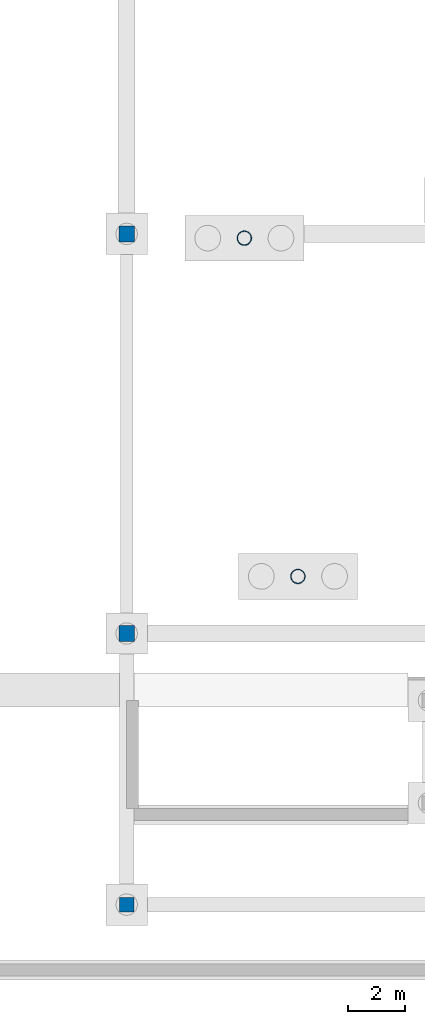
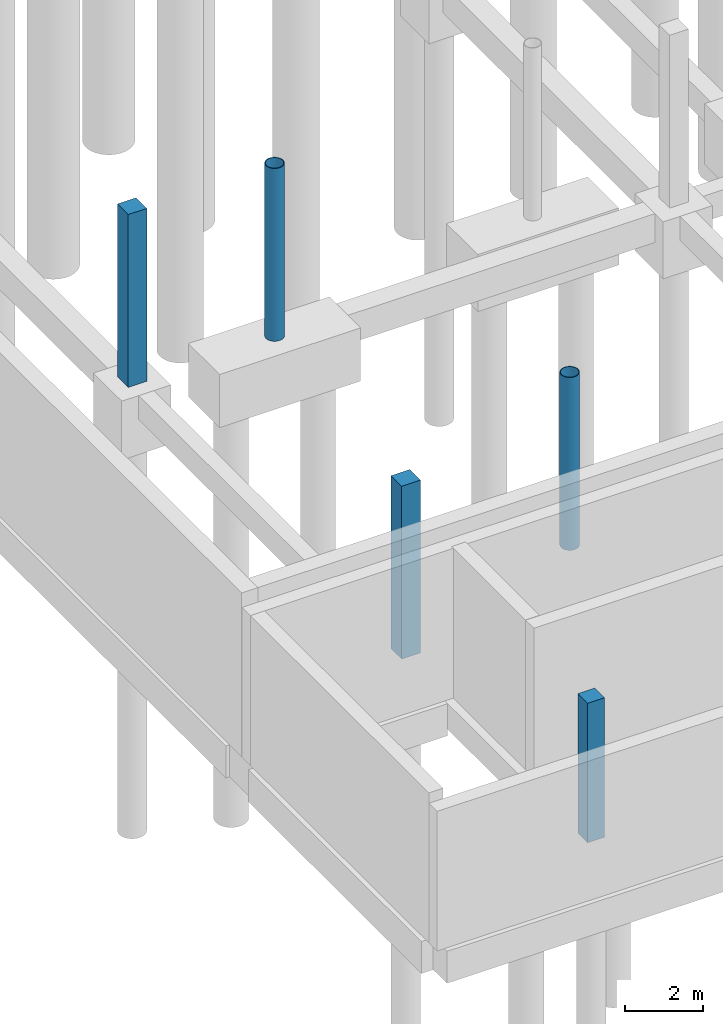
# One storey, part 18 of 65: 5 columns.
"""IFC4 building model written with IfcOpenShell, lengths in metres."""

import ifcopenshell
import ifcopenshell.guid

model = None  # the IFC model being written
_history = None  # IfcOwnerHistory: only IFC2X3 demands one
_inside = {}  # id of a spatial element -> (the spatial element, [elements in it])
_under = {}  # id of a project, library or spatial element -> (it, [spatial elements below it])
_declared = {}  # id of a project -> (the project, [libraries it declares])
_typed = {}  # id of a type object -> (the type object, [elements of that type])
_made_of = {}  # id of a material, layer set ... -> (it, [elements and type objects made of it])


def new_model(schema):
    """Start an empty IFC model of exactly this schema.

    Asked for "IFC4X3", IfcOpenShell would pick the latest addendum, in which some entities
    have other attributes; the version numbers below select the first issue.
    IFC2X3 requires an IfcOwnerHistory on every rooted entity: one is made here for all.
    """
    global model, _history
    if schema == "IFC4X3":
        model = ifcopenshell.file(schema_version=(4, 3, 0, 0))
    else:
        model = ifcopenshell.file(schema=schema)
    _inside.clear()
    _under.clear()
    _declared.clear()
    _typed.clear()
    _made_of.clear()
    _history = None
    if model.schema == "IFC2X3":
        org = make("IfcOrganization", Name="unknown")
        user = make(
            "IfcPersonAndOrganization",
            ThePerson=make("IfcPerson", FamilyName="unknown"),
            TheOrganization=org,
        )
        app = make(
            "IfcApplication",
            ApplicationDeveloper=org,
            Version="unknown",
            ApplicationFullName="unknown",
            ApplicationIdentifier="unknown",
        )
        _history = make(
            "IfcOwnerHistory",
            OwningUser=user,
            OwningApplication=app,
            ChangeAction="ADDED",
            CreationDate=0,
        )
    return model


def make(cls, **values):
    """One entity of the class cls with the attributes given. An attribute that is None is left unset."""
    return model.create_entity(
        cls, **{name: value for name, value in values.items() if value is not None}
    )


def rooted(cls, **values):
    """An entity with a GlobalId (a new one), such as an element, a storey or a relation."""
    return make(cls, GlobalId=ifcopenshell.guid.new(), OwnerHistory=_history, **values)


def si_unit(unit_type, name, prefix=None):
    """IfcSIUnit, for example si_unit("LENGTHUNIT", "METRE", prefix="MILLI")."""
    return make("IfcSIUnit", UnitType=unit_type, Prefix=prefix, Name=name)


def assignment(units):
    """IfcUnitAssignment: the units of a project."""
    return None if units is None else make("IfcUnitAssignment", Units=units)


def point(xyz):
    """IfcCartesianPoint."""
    return None if xyz is None else make("IfcCartesianPoint", Coordinates=xyz)


def direction(xyz):
    """IfcDirection."""
    return None if xyz is None else make("IfcDirection", DirectionRatios=xyz)


def frame(location, z_axis=None, x_axis=None):
    """IfcAxis2Placement3D, a coordinate frame: its origin and axes. An axis left out is left unset."""
    return make(
        "IfcAxis2Placement3D",
        Location=point(location),
        Axis=direction(z_axis),
        RefDirection=direction(x_axis),
    )


def frame_2d(location, x_axis=None):
    """IfcAxis2Placement2D, a coordinate frame in the plane: its origin and x axis."""
    return make(
        "IfcAxis2Placement2D", Location=point(location), RefDirection=direction(x_axis)
    )


def origin():
    """The frame at (0, 0, 0) with its axes left unset."""
    return frame((0.0, 0.0, 0.0))


def origin_2d():
    """The frame at (0, 0) in the plane with its x axis left unset."""
    return frame_2d((0.0, 0.0))


def place(relative_to, where):
    """IfcLocalPlacement: puts the frame where relative to a parent placement (None: the world)."""
    return make(
        "IfcLocalPlacement", PlacementRelTo=relative_to, RelativePlacement=where
    )


def context(
    kind, dimensions, precision=None, world=None, true_north=None, identifier=None
):
    """IfcGeometricRepresentationContext, for example the 3D "Model" context."""
    return make(
        "IfcGeometricRepresentationContext",
        ContextIdentifier=identifier,
        ContextType=kind,
        CoordinateSpaceDimension=dimensions,
        Precision=precision,
        WorldCoordinateSystem=world,
        TrueNorth=true_north,
    )


def subcontext(parent, identifier, kind, view, scale=None):
    """IfcGeometricRepresentationSubContext, for example "Body" below "Model"."""
    return make(
        "IfcGeometricRepresentationSubContext",
        ContextIdentifier=identifier,
        ContextType=kind,
        ParentContext=parent,
        TargetScale=scale,
        TargetView=view,
    )


def project(units=None, contexts=None):
    """IfcProject with its units and contexts."""
    return rooted(
        "IfcProject",
        Name="project",
        RepresentationContexts=contexts,
        UnitsInContext=assignment(units),
    )


def spatial(cls, under=None, at=None, **own):
    """A site, building, storey or space (cls), placed at a placement, below another one or the project."""
    s = rooted(cls, ObjectPlacement=at, **own)
    if under is not None:
        _under.setdefault(under.id(), (under, []))[1].append(s)
    return s


def profile(cls, at=None, kind="AREA", **sizes):
    """A parametric profile (cls). Its sizes go by their IFC names, for example OverallWidth=200.0."""
    return make(cls, ProfileType=kind, Position=at, **sizes)


def rectangle(**sizes):
    """IfcRectangleProfileDef."""
    return profile("IfcRectangleProfileDef", **sizes)


def hollow_circle(**sizes):
    """IfcCircleHollowProfileDef."""
    return profile("IfcCircleHollowProfileDef", **sizes)


def extrude(swept, where, along, depth):
    """IfcExtrudedAreaSolid: the profile swept, set in the frame where, extruded along a direction by depth."""
    return make(
        "IfcExtrudedAreaSolid",
        SweptArea=swept,
        Position=where,
        ExtrudedDirection=direction(along),
        Depth=depth,
    )


def shape(context_of_items, identifier, shape_type, items):
    """IfcShapeRepresentation: the items that make up one representation, for example the "Body"."""
    return make(
        "IfcShapeRepresentation",
        ContextOfItems=context_of_items,
        RepresentationIdentifier=identifier,
        RepresentationType=shape_type,
        Items=items,
    )


def material(Name=None, Category=None):
    """IfcMaterial."""
    return make("IfcMaterial", Name=Name, Category=Category)


def material_profile(
    of_material, cross_section, Name=None, Category=None, Priority=None
):
    """IfcMaterialProfile: a cross section and its material."""
    return make(
        "IfcMaterialProfile",
        Name=Name,
        Material=of_material,
        Profile=cross_section,
        Priority=Priority,
        Category=Category,
    )


def profile_set(profiles, Name=None, composite=None):
    """IfcMaterialProfileSet."""
    return make(
        "IfcMaterialProfileSet",
        Name=Name,
        MaterialProfiles=profiles,
        CompositeProfile=composite,
    )


def made_of(thing, what):
    """Note that an element or type object is made of a material, layer set ...; save() writes the relation."""
    if what is not None:
        _made_of.setdefault(what.id(), (what, []))[1].append(thing)
    return thing


def type_object(cls, material=None, **own):
    """A type object (cls), such as IfcWallType, which elements share."""
    return made_of(rooted(cls, **own), material)


def element(
    cls,
    number,
    at=None,
    inside=None,
    cuts=None,
    type_object=None,
    material=None,
    context=None,
    identifier="Body",
    shape_type=None,
    held_by="IfcProductDefinitionShape",
    body=None,
    shapes=None,
    **own,
):
    """One element of the class cls, such as IfcWall. Its Tag is "e" and its number.

    at: its placement. inside: the storey or other place that contains it. cuts: it is an
    opening in that element (IfcRelVoidsElement). A single representation is given by context,
    identifier, shape_type and body (its items); several are given by shapes. held_by: the class
    of the entity that holds the representations. save() writes the other relations.
    """
    e = rooted(cls, Tag="e%d" % number, ObjectPlacement=at, **own)
    if body is not None:
        shapes = [shape(context, identifier, shape_type, body)]
    if shapes is not None:
        e.Representation = make(held_by, Representations=shapes)
    if inside is not None:
        _inside.setdefault(inside.id(), (inside, []))[1].append(e)
    if cuts is not None:
        rooted(
            "IfcRelVoidsElement", RelatingBuildingElement=cuts, RelatedOpeningElement=e
        )
    if type_object is not None:
        _typed.setdefault(type_object.id(), (type_object, []))[1].append(e)
    return made_of(e, material)


def aggregate(whole, parts):
    """IfcRelAggregates: a whole, such as a stair, and the parts it consists of."""
    return rooted("IfcRelAggregates", RelatingObject=whole, RelatedObjects=parts)


def save(model, path):
    """Write the relations noted so far, then the file.

    IfcRelAggregates (storeys below a building ...), IfcRelContainedInSpatialStructure (elements
    in a storey), IfcRelDefinesByType, IfcRelAssociatesMaterial and IfcRelDeclares: one each for
    every whole, place, type object, material and project.
    """
    for whole, parts in _under.values():
        aggregate(whole, parts)
    for where, things in _inside.values():
        rooted(
            "IfcRelContainedInSpatialStructure",
            RelatedElements=things,
            RelatingStructure=where,
        )
    for kind, things in _typed.values():
        rooted("IfcRelDefinesByType", RelatedObjects=things, RelatingType=kind)
    for what, things in _made_of.values():
        rooted("IfcRelAssociatesMaterial", RelatedObjects=things, RelatingMaterial=what)
    for by, libraries in _declared.values():
        rooted("IfcRelDeclares", RelatingContext=by, RelatedDefinitions=libraries)
    model.write(path)


model = new_model("IFC4")

# Units and contexts
model_context = context("Model", 3, precision=1e-05, world=origin(), true_north=direction((0.0, 1.0)))
body_context = subcontext(model_context, "Body", "Model", "MODEL_VIEW")
ifc_project = project(units=[si_unit("LENGTHUNIT", "METRE"), si_unit("AREAUNIT", "SQUARE_METRE"), si_unit("VOLUMEUNIT", "CUBIC_METRE"), si_unit("PLANEANGLEUNIT", "RADIAN"), si_unit("MASSUNIT", "GRAM", prefix="KILO")], contexts=[model_context])

# Site, building, storey
site_placement = place(None, origin())
site = spatial("IfcSite", under=ifc_project, at=site_placement, CompositionType="ELEMENT")
building_placement = place(site_placement, origin())
building = spatial("IfcBuilding", under=site, at=building_placement, Name="Khorjan Park Terminus", CompositionType="ELEMENT")
storey_placement = place(building_placement, frame((0.0, 0.0, -5.4)))
storey = spatial("IfcBuildingStorey", under=building, at=storey_placement, Name="B1", CompositionType="ELEMENT", Elevation=-5.4)

# Columns
ifc_material_1 = material(Name="Concrete C40/50", Category="concrete")
ifc_material_profile_1 = material_profile(ifc_material_1, rectangle(XDim=0.5, YDim=0.5, at=origin_2d()), Name="RC 500x500")
ifc_profile_set_1 = profile_set([ifc_material_profile_1], Name="Concrete C40/50")
column_type_1 = type_object("IfcColumnType", Name="COL-RC500", PredefinedType="COLUMN", material=ifc_profile_set_1)
column_placement = place(storey_placement, frame((48.0, -21.5, 0.0), z_axis=(0.0, 0.0, 1.0), x_axis=(1.0, 0.0, 0.0)))
element("IfcColumn", 1, at=column_placement, inside=storey, type_object=column_type_1, Name="Structural column C-RC05 (B1 #953)", PredefinedType="COLUMN", context=body_context, shape_type="SweptSolid", body=[
    extrude(rectangle(XDim=0.5, YDim=0.5, at=origin_2d()), origin(), (0.0, 0.0, 1.0), 4.36),
])
ifc_material_profile_2 = material_profile(ifc_material_1, rectangle(XDim=0.55, YDim=0.55, at=origin_2d()), Name="RC 550x550")
ifc_profile_set_2 = profile_set([ifc_material_profile_2], Name="Concrete C40/50")
column_type_2 = type_object("IfcColumnType", Name="COL-RC550", PredefinedType="COLUMN", material=ifc_profile_set_2)
for number, where, z_axis, x_axis, name in (
    (2, (48.0, 2.0, 0.0), (0.0, 0.0, 1.0), (1.0, 0.0, 0.0), "Structural column C-RC55 (B1 #951)"),
    (3, (48.0, -12.0, 0.0), (0.0, 0.0, 1.0), (1.0, 0.0, 0.0), "Structural column C-RC55 (B1 #952)"),
):
    element("IfcColumn", number, at=place(storey_placement, frame(where, z_axis=z_axis, x_axis=x_axis)), inside=storey, type_object=column_type_2, Name=name, PredefinedType="COLUMN", context=body_context, shape_type="SweptSolid", body=[
        extrude(rectangle(XDim=0.55, YDim=0.55, at=origin_2d()), origin(), (0.0, 0.0, 1.0), 5.4),
    ])
ifc_material_2 = material(Name="Steel S355", Category="steel")
ifc_material_profile_3 = material_profile(ifc_material_2, hollow_circle(Radius=0.254, WallThickness=0.02, at=origin_2d()), Name="CHS 508x20")
ifc_profile_set_3 = profile_set([ifc_material_profile_3], Name="Steel S355")
column_type_3 = type_object("IfcColumnType", Name="COL-SH508E", PredefinedType="COLUMN", material=ifc_profile_set_3)
for number, where, z_axis, x_axis, name in (
    (4, (54.0, -10.0, 0.0), (0.0, 0.0, 1.0), (0.987688340595, 0.15643446504, 0.0), "Structural column SC-51 (B1 #542)"),
    (5, (52.123, 1.852, 0.0), (0.0, 0.0, 1.0), (0.987688340595, 0.15643446504, 0.0), "Structural column SC-51 (B1 #545)"),
):
    element("IfcColumn", number, at=place(storey_placement, frame(where, z_axis=z_axis, x_axis=x_axis)), inside=storey, type_object=column_type_3, Name=name, PredefinedType="COLUMN", context=body_context, shape_type="SweptSolid", body=[
        extrude(hollow_circle(Radius=0.254, WallThickness=0.02, at=origin_2d()), origin(), (0.0, 0.0, 1.0), 5.4),
    ])

save(model, "model.ifc")
